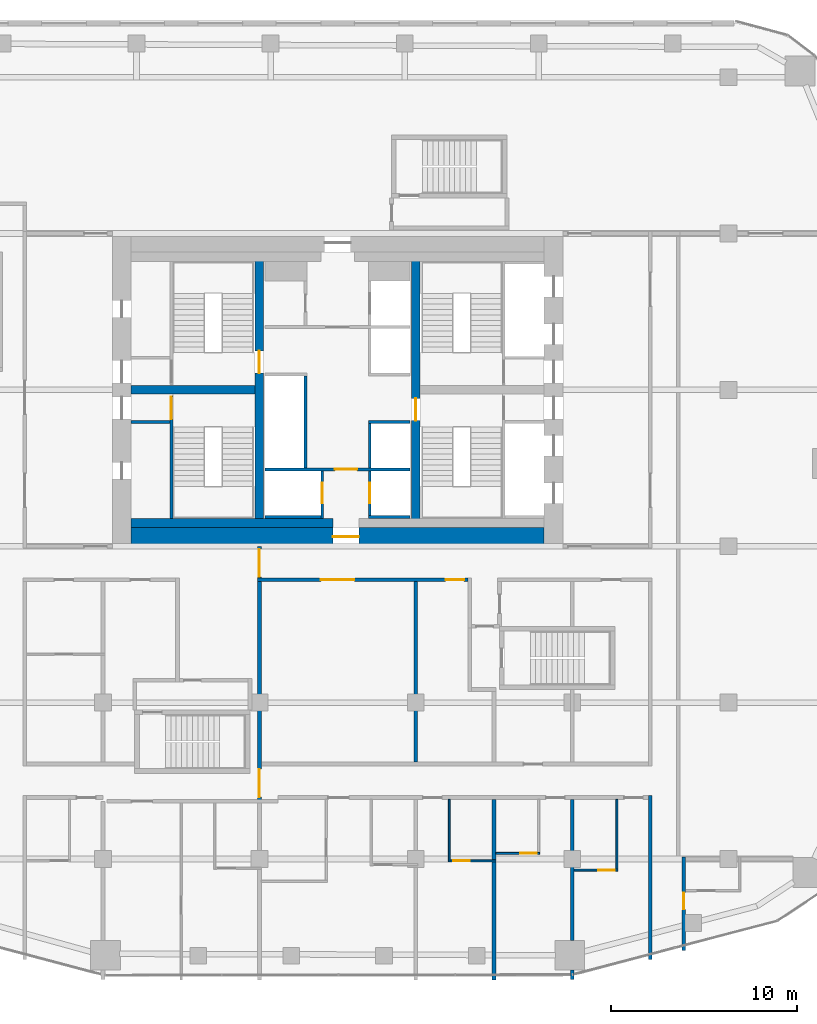
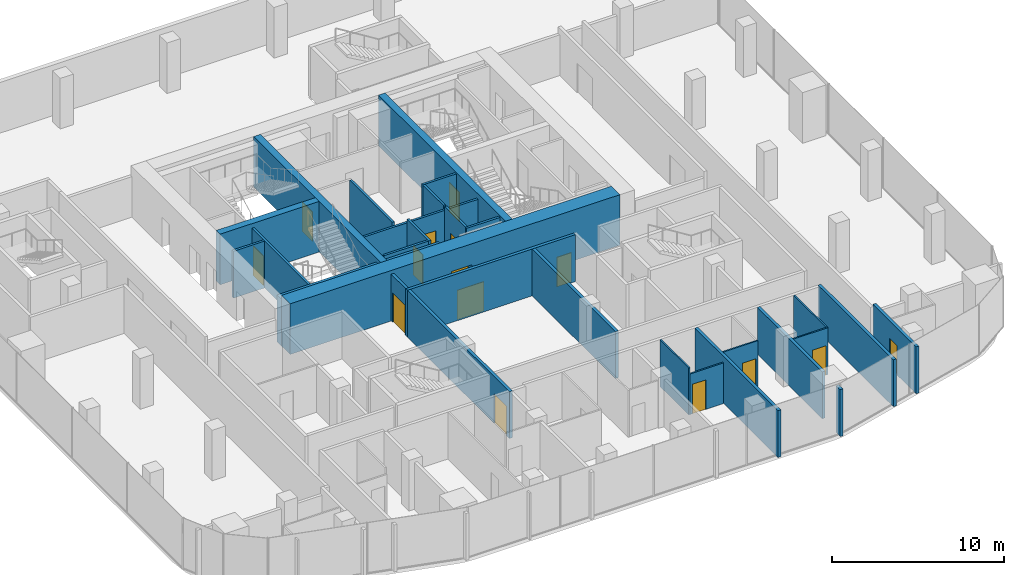
# One storey, part 15 of 21: 28 walls, 15 doors, 15 openings.
"""IFC4 building model written with IfcOpenShell, lengths in metres."""

from ifc_helpers import new_model, si_unit, direction, frame, frame_2d, origin, place, context, subcontext, project, spatial, rectangle, extrude, material, layer, layer_set, type_object, element, fill, save


model = new_model("IFC4")

# Units and contexts
model_context = context("Model", 3, precision=1e-05, world=origin(), true_north=direction((0.0, 1.0)))
body_context = subcontext(model_context, "Body", "Model", "MODEL_VIEW")
ifc_project = project(units=[si_unit("LENGTHUNIT", "METRE"), si_unit("AREAUNIT", "SQUARE_METRE"), si_unit("VOLUMEUNIT", "CUBIC_METRE"), si_unit("PLANEANGLEUNIT", "RADIAN"), si_unit("MASSUNIT", "GRAM", prefix="KILO")], contexts=[model_context])

# Site, building, storey
site_placement = place(None, origin())
site = spatial("IfcSite", under=ifc_project, at=site_placement, CompositionType="ELEMENT")
building_placement = place(site_placement, origin())
building = spatial("IfcBuilding", under=site, at=building_placement, Name="Marenta Gate Hotel Tower", CompositionType="ELEMENT")
storey_placement = place(building_placement, frame((0.0, 0.0, 133.699951171875)))
storey = spatial("IfcBuildingStorey", under=building, at=storey_placement, Name="L30", CompositionType="ELEMENT", Elevation=133.699951171875)

# Wall, openings, doors
ifc_material_1 = material(Name="Concrete blockwork", Category="masonry")
ifc_layer_1 = layer(ifc_material_1, 0.199951171875)
ifc_layer_set_1 = layer_set([ifc_layer_1], Name="Concrete blockwork")
wall_type_1 = type_object("IfcWallType", Name="Compartment wall 200 REI 180", PredefinedType="PARTITIONING", material=ifc_layer_set_1)
wall_1_placement = place(storey_placement, frame((-4.199951171875, -13.800048828125, 0.0), z_axis=(0.0, 0.0, 1.0), x_axis=(0.0, 1.0, 0.0)))
wall_1 = element("IfcWall", 1, at=wall_1_placement, inside=storey, type_object=wall_type_1, Name="L30-PTN-W049", PredefinedType="PARTITIONING", context=body_context, shape_type="SweptSolid", body=[
    extrude(rectangle(XDim=13.800048828125, YDim=0.199951171875, at=frame_2d((6.89990234375, 0.0))), origin(), (0.0, 0.0, 1.0), 3.340087890625),
])
opening_1_placement = place(wall_1_placement, frame((12.14990234375, 0.0, 0.0)))
opening_1 = element("IfcOpeningElement", 2, at=opening_1_placement, cuts=wall_1, Name="Opening G11-FD1", PredefinedType="OPENING", context=body_context, shape_type="SweptSolid", body=[
    extrude(rectangle(XDim=1.5, YDim=2.10009765625, at=frame_2d((0.75, 1.050048828125))), frame((0.0, 0.10009765625, 0.0), z_axis=(0.0, -1.0, 0.0), x_axis=(1.0, 0.0, 0.0)), (0.0, 0.0, 1.0), 0.199951171875),
])
opening_2_placement = place(wall_1_placement, frame((0.324951171875, 0.0, 0.0)))
opening_2 = element("IfcOpeningElement", 3, at=opening_2_placement, cuts=wall_1, Name="Opening G11-FD2", PredefinedType="OPENING", context=body_context, shape_type="SweptSolid", body=[
    extrude(rectangle(XDim=1.5, YDim=2.10009765625, at=frame_2d((0.75, 1.050048828125))), frame((0.0, 0.10009765625, 0.0), z_axis=(0.0, -1.0, 0.0), x_axis=(1.0, 0.0, 0.0)), (0.0, 0.0, 1.0), 0.199951171875),
])
ifc_material_2 = material(Name="Hollow steel door set", Category="steel")
door_type_1 = type_object("IfcDoorType", Name="Compartment fire door 1500x2100 EI 60", OperationType="DOUBLE_DOOR_DOUBLE_SWING", PredefinedType="DOOR", material=ifc_material_2)
door_1_placement = place(opening_1_placement, origin())
door_1 = element("IfcDoor", 4, at=door_1_placement, inside=storey, type_object=door_type_1, Name="L30-PD-FD01", OperationType="DOUBLE_DOOR_DOUBLE_SWING", OverallHeight=2.10009765625, OverallWidth=1.5, PredefinedType="DOOR", context=body_context, shape_type="SweptSolid", body=[
    extrude(rectangle(XDim=1.5, YDim=2.10009765625, at=frame_2d((0.75, 1.050048828125))), frame((0.0, 0.02490234375, 0.0), z_axis=(0.0, -1.0, 0.0), x_axis=(1.0, 0.0, 0.0)), (0.0, 0.0, 1.0), 0.050048828125),
])
fill(opening_1, door_1)
door_2_placement = place(opening_2_placement, origin())
door_2 = element("IfcDoor", 5, at=door_2_placement, inside=storey, type_object=door_type_1, Name="L30-PD-FD02", OperationType="DOUBLE_DOOR_DOUBLE_SWING", OverallHeight=2.10009765625, OverallWidth=1.5, PredefinedType="DOOR", context=body_context, shape_type="SweptSolid", body=[
    extrude(rectangle(XDim=1.5, YDim=2.10009765625, at=frame_2d((0.75, 1.050048828125))), frame((0.0, 0.02490234375, 0.0), z_axis=(0.0, -1.0, 0.0), x_axis=(1.0, 0.0, 0.0)), (0.0, 0.0, 1.0), 0.050048828125),
])
fill(opening_2, door_2)

# Wall
ifc_material_3 = material(Name="Concrete C40", Category="concrete")
ifc_layer_2 = layer(ifc_material_3, 0.5)
ifc_layer_set_2 = layer_set([ifc_layer_2], Name="Concrete C40")
wall_type_2 = type_object("IfcWallType", Name="Core lining wall 500 REI 180", PredefinedType="PARTITIONING", material=ifc_layer_set_2)
wall_2_placement = place(storey_placement, frame((-11.10009765625, 1.25, 0.0), z_axis=(0.0, 0.0, 1.0), x_axis=(1.0, 0.0, 0.0)))
element("IfcWall", 6, at=wall_2_placement, inside=storey, type_object=wall_type_2, Name="L30-CP-LN-S1", PredefinedType="PARTITIONING", context=body_context, shape_type="SweptSolid", body=[
    extrude(rectangle(XDim=10.85009765625, YDim=0.5, at=frame_2d((5.425048828125, 0.0))), origin(), (0.0, 0.0, 1.0), 3.340087890625),
])

# Wall, opening, door
ifc_material_4 = material(Name="Concrete blockwork", Category="masonry")
ifc_layer_3 = layer(ifc_material_4, 0.14990234375)
ifc_layer_set_3 = layer_set([ifc_layer_3], Name="Concrete blockwork")
wall_type_3 = type_object("IfcWallType", Name="Core lobby partition 150 REI 180", PredefinedType="PARTITIONING", material=ifc_layer_set_3)
wall_3_placement = place(storey_placement, frame((-3.89990234375, 4.125, 0.0), z_axis=(0.0, 0.0, 1.0), x_axis=(1.0, 0.0, 0.0)))
wall_3 = element("IfcWall", 7, at=wall_3_placement, inside=storey, type_object=wall_type_3, Name="L30-CP-CW-S", PredefinedType="PARTITIONING", context=body_context, shape_type="SweptSolid", body=[
    extrude(rectangle(XDim=7.7998046875, YDim=0.14990234375, at=frame_2d((3.89990234375, 0.0))), origin(), (0.0, 0.0, 1.0), 3.340087890625),
])
opening_3_placement = place(wall_3_placement, frame((3.75, 0.0, 0.0)))
opening_3 = element("IfcOpeningElement", 8, at=opening_3_placement, cuts=wall_3, Name="Opening FD-FFS", PredefinedType="OPENING", context=body_context, shape_type="SweptSolid", body=[
    extrude(rectangle(XDim=1.199951171875, YDim=2.10009765625, at=frame_2d((0.60009765625, 1.050048828125))), frame((0.0, 0.074951171875, 0.0), z_axis=(0.0, -1.0, 0.0), x_axis=(1.0, 0.0, 0.0)), (0.0, 0.0, 1.0), 0.14990234375),
])
ifc_material_5 = material(Name="Steel", Category="steel")
door_type_2 = type_object("IfcDoorType", Name="Core lobby door 1200x2100 FD60", OperationType="SINGLE_SWING_LEFT", PredefinedType="DOOR", material=ifc_material_5)
door_3_placement = place(opening_3_placement, origin())
door_3 = element("IfcDoor", 9, at=door_3_placement, inside=storey, type_object=door_type_2, Name="FD-FFS", OperationType="SINGLE_SWING_LEFT", OverallHeight=2.10009765625, OverallWidth=1.199951171875, PredefinedType="DOOR", context=body_context, shape_type="SweptSolid", body=[
    extrude(rectangle(XDim=1.199951171875, YDim=2.10009765625, at=frame_2d((0.60009765625, 1.050048828125))), frame((0.0, 0.02490234375, 0.0), z_axis=(0.0, -1.0, 0.0), x_axis=(1.0, 0.0, 0.0)), (0.0, 0.0, 1.0), 0.050048828125),
])
fill(opening_3, door_3)

# Wall
ifc_material_6 = material(Name="Concrete blockwork", Category="masonry")
ifc_layer_4 = layer(ifc_material_6, 0.14990234375)
ifc_layer_set_4 = layer_set([ifc_layer_4], Name="Concrete blockwork")
wall_type_4 = type_object("IfcWallType", Name="Core room partition 150 REI 180", PredefinedType="PARTITIONING", material=ifc_layer_set_4)
wall_4_placement = place(storey_placement, frame((-11.10009765625, 6.675048828125, 0.0), z_axis=(0.0, 0.0, 1.0), x_axis=(1.0, 0.0, 0.0)))
element("IfcWall", 10, at=wall_4_placement, inside=storey, type_object=wall_type_4, Name="L30-CP-SW-WS-2", PredefinedType="PARTITIONING", context=body_context, shape_type="SweptSolid", body=[
    extrude(rectangle(XDim=2.10009765625, YDim=0.14990234375, at=frame_2d((1.050048828125, 0.0))), origin(), (0.0, 0.0, 1.0), 3.340087890625),
])

# Wall, opening, door
ifc_material_7 = material(Name="Concrete C40", Category="concrete")
ifc_layer_5 = layer(ifc_material_7, 0.14990234375)
ifc_layer_set_5 = layer_set([ifc_layer_5], Name="Concrete C40")
wall_type_5 = type_object("IfcWallType", Name="Core shaft wall 150 REI 180", PredefinedType="SHEAR", material=ifc_layer_set_5)
wall_5_placement = place(storey_placement, frame((-0.824951171875, 1.5, 0.0), z_axis=(0.0, 0.0, 1.0), x_axis=(0.0, 1.0, 0.0)))
wall_5 = element("IfcWall", 11, at=wall_5_placement, inside=storey, type_object=wall_type_5, Name="L30-SHF-CW-W-ff", PredefinedType="SHEAR", context=body_context, shape_type="SweptSolid", body=[
    extrude(rectangle(XDim=2.550048828125, YDim=0.14990234375, at=frame_2d((1.27490234375, 0.0))), origin(), (0.0, 0.0, 1.0), 3.60009765625),
])
opening_4_placement = place(wall_5_placement, frame((0.800048828125, 0.0, 0.0)))
opening_4 = element("IfcOpeningElement", 12, at=opening_4_placement, cuts=wall_5, Name="Opening LD-FF1", PredefinedType="OPENING", context=body_context, shape_type="SweptSolid", body=[
    extrude(rectangle(XDim=1.10009765625, YDim=2.10009765625, at=frame_2d((0.550048828125, 1.050048828125))), frame((0.0, 0.074951171875, 0.0), z_axis=(0.0, -1.0, 0.0), x_axis=(1.0, 0.0, 0.0)), (0.0, 0.0, 1.0), 0.14990234375),
])
ifc_material_8 = material(Name="Steel", Category="steel")
door_type_3 = type_object("IfcDoorType", Name="Core lift landing door 1100x2100 E 60", OperationType="SLIDING_TO_LEFT", PredefinedType="DOOR", material=ifc_material_8)
door_4_placement = place(opening_4_placement, origin())
door_4 = element("IfcDoor", 13, at=door_4_placement, inside=storey, type_object=door_type_3, Name="LD-FF1", OperationType="SLIDING_TO_LEFT", OverallHeight=2.10009765625, OverallWidth=1.10009765625, PredefinedType="DOOR", context=body_context, shape_type="SweptSolid", body=[
    extrude(rectangle(XDim=1.10009765625, YDim=2.10009765625, at=frame_2d((0.550048828125, 1.050048828125))), frame((0.0, 0.02490234375, 0.0), z_axis=(0.0, -1.0, 0.0), x_axis=(1.0, 0.0, 0.0)), (0.0, 0.0, 1.0), 0.050048828125),
])
fill(opening_4, door_4)

# Walls
wall_6_placement = place(storey_placement, frame((-3.89990234375, 1.574951171875, 0.0), z_axis=(0.0, 0.0, 1.0), x_axis=(1.0, 0.0, 0.0)))
element("IfcWall", 14, at=wall_6_placement, inside=storey, type_object=wall_type_5, Name="L30-SHF-CW-W-ffs", PredefinedType="SHEAR", context=body_context, shape_type="SweptSolid", body=[
    extrude(rectangle(XDim=3.0, YDim=0.14990234375, at=frame_2d((1.5, 0.0))), origin(), (0.0, 0.0, 1.0), 3.60009765625),
])
wall_7_placement = place(storey_placement, frame((-1.72509765625, 4.199951171875, 0.0), z_axis=(0.0, 0.0, 1.0), x_axis=(0.0, 1.0, 0.0)))
element("IfcWall", 15, at=wall_7_placement, inside=storey, type_object=wall_type_5, Name="L30-SHF-CW-W-front", PredefinedType="SHEAR", context=body_context, shape_type="SweptSolid", body=[
    extrude(rectangle(XDim=4.949951171875, YDim=0.14990234375, at=frame_2d((2.47509765625, 0.0))), origin(), (0.0, 0.0, 1.0), 3.60009765625),
])

# Wall, opening, door
wall_8_placement = place(storey_placement, frame((1.72509765625, 1.64990234375, 0.0), z_axis=(0.0, 0.0, 1.0), x_axis=(0.0, 1.0, 0.0)))
wall_8 = element("IfcWall", 16, at=wall_8_placement, inside=storey, type_object=wall_type_5, Name="L30-SHF-CE-S-ls", PredefinedType="SHEAR", context=body_context, shape_type="SweptSolid", body=[
    extrude(rectangle(XDim=2.400146484375, YDim=0.14990234375, at=frame_2d((1.2001953125, 0.0))), origin(), (0.0, 0.0, 1.0), 3.60009765625),
])
opening_5_placement = place(wall_8_placement, frame((0.64990234375, 0.0, 0.0)))
opening_5 = element("IfcOpeningElement", 17, at=opening_5_placement, cuts=wall_8, Name="Opening LD-SV1", PredefinedType="OPENING", context=body_context, shape_type="SweptSolid", body=[
    extrude(rectangle(XDim=1.10009765625, YDim=2.10009765625, at=frame_2d((0.550048828125, 1.050048828125))), frame((0.0, 0.074951171875, 0.0), z_axis=(0.0, -1.0, 0.0), x_axis=(1.0, 0.0, 0.0)), (0.0, 0.0, 1.0), 0.14990234375),
])
door_5_placement = place(opening_5_placement, origin())
door_5 = element("IfcDoor", 18, at=door_5_placement, inside=storey, type_object=door_type_3, Name="LD-SV1", OperationType="SLIDING_TO_LEFT", OverallHeight=2.10009765625, OverallWidth=1.10009765625, PredefinedType="DOOR", context=body_context, shape_type="SweptSolid", body=[
    extrude(rectangle(XDim=1.10009765625, YDim=2.10009765625, at=frame_2d((0.550048828125, 1.050048828125))), frame((0.0, 0.02490234375, 0.0), z_axis=(0.0, -1.0, 0.0), x_axis=(1.0, 0.0, 0.0)), (0.0, 0.0, 1.0), 0.050048828125),
])
fill(opening_5, door_5)

# Walls
for number, where, z_axis, x_axis, name in (
    (19, (1.64990234375, 1.574951171875, 0.0), (0.0, 0.0, 1.0), (1.0, 0.0, 0.0), "L30-SHF-CE-S-bot"),
    (20, (1.64990234375, 6.675048828125, 0.0), (0.0, 0.0, 1.0), (1.0, 0.0, 0.0), "L30-SHF-CE-sep1"),
):
    element("IfcWall", number, at=place(storey_placement, frame(where, z_axis=z_axis, x_axis=x_axis)), inside=storey, type_object=wall_type_5, Name=name, PredefinedType="SHEAR", context=body_context, shape_type="SweptSolid", body=[
        extrude(rectangle(XDim=2.25, YDim=0.14990234375, at=frame_2d((1.125, 0.0))), origin(), (0.0, 0.0, 1.0), 3.60009765625),
    ])
wall_9_placement = place(storey_placement, frame((1.72509765625, 4.199951171875, 0.0), z_axis=(0.0, 0.0, 1.0), x_axis=(0.0, 1.0, 0.0)))
element("IfcWall", 21, at=wall_9_placement, inside=storey, type_object=wall_type_5, Name="L30-SHF-CE-front-1", PredefinedType="SHEAR", context=body_context, shape_type="SweptSolid", body=[
    extrude(rectangle(XDim=2.400146484375, YDim=0.14990234375, at=frame_2d((1.2001953125, 0.0))), origin(), (0.0, 0.0, 1.0), 3.60009765625),
])

# Wall, opening, door
ifc_material_9 = material(Name="Concrete C40", Category="concrete")
ifc_layer_6 = layer(ifc_material_9, 0.14990234375)
ifc_layer_set_6 = layer_set([ifc_layer_6], Name="Concrete C40")
wall_type_6 = type_object("IfcWallType", Name="Core stair enclosure wall 150 REI 180", PredefinedType="SHEAR", material=ifc_layer_set_6)
wall_10_placement = place(storey_placement, frame((-8.925048828125, 1.5, 0.0), z_axis=(0.0, 0.0, 1.0), x_axis=(0.0, 1.0, 0.0)))
wall_10 = element("IfcWall", 22, at=wall_10_placement, inside=storey, type_object=wall_type_6, Name="L30-SHF-SW-WS-3", PredefinedType="SHEAR", context=body_context, shape_type="SweptSolid", body=[
    extrude(rectangle(XDim=6.60009765625, YDim=0.14990234375, at=frame_2d((3.300048828125, 0.0))), origin(), (0.0, 0.0, 1.0), 3.340087890625),
])
opening_6_placement = place(wall_10_placement, frame((5.324951171875, 0.0, 0.0)))
opening_6 = element("IfcOpeningElement", 23, at=opening_6_placement, cuts=wall_10, Name="Opening SD-WS", PredefinedType="OPENING", context=body_context, shape_type="SweptSolid", body=[
    extrude(rectangle(XDim=1.199951171875, YDim=2.10009765625, at=frame_2d((0.60009765625, 1.050048828125))), frame((0.0, 0.074951171875, 0.0), z_axis=(0.0, -1.0, 0.0), x_axis=(1.0, 0.0, 0.0)), (0.0, 0.0, 1.0), 0.14990234375),
])
ifc_material_10 = material(Name="Steel", Category="steel")
door_type_4 = type_object("IfcDoorType", Name="Core stair door 1200x2100 FD60", OperationType="SINGLE_SWING_LEFT", PredefinedType="DOOR", material=ifc_material_10)
door_6_placement = place(opening_6_placement, origin())
door_6 = element("IfcDoor", 24, at=door_6_placement, inside=storey, type_object=door_type_4, Name="SD-WS", OperationType="SINGLE_SWING_LEFT", OverallHeight=2.10009765625, OverallWidth=1.199951171875, PredefinedType="DOOR", context=body_context, shape_type="SweptSolid", body=[
    extrude(rectangle(XDim=1.199951171875, YDim=2.10009765625, at=frame_2d((0.60009765625, 1.050048828125))), frame((0.0, 0.02490234375, 0.0), z_axis=(0.0, -1.0, 0.0), x_axis=(1.0, 0.0, 0.0)), (0.0, 0.0, 1.0), 0.050048828125),
])
fill(opening_6, door_6)

ifc_material_11 = material(Name="Concrete C70", Category="concrete")
ifc_layer_7 = layer(ifc_material_11, 1.0)
ifc_layer_set_7 = layer_set([ifc_layer_7], Name="Concrete C70")
wall_type_7 = type_object("IfcWallType", Name="Core wall 1000 C70", PredefinedType="SHEAR", material=ifc_layer_set_7)
wall_11_placement = place(storey_placement, frame((-11.10009765625, 0.5, 0.0), z_axis=(0.0, 0.0, 1.0), x_axis=(1.0, 0.0, 0.0)))
wall_11 = element("IfcWall", 25, at=wall_11_placement, inside=storey, type_object=wall_type_7, Name="L30-CORE-S", PredefinedType="SHEAR", context=body_context, shape_type="SweptSolid", body=[
    extrude(rectangle(XDim=22.2001953125, YDim=1.0, at=frame_2d((11.10009765625, 0.0))), origin(), (0.0, 0.0, 1.0), 3.60009765625),
])
opening_7_placement = place(wall_11_placement, frame((10.85009765625, 0.0, 0.0)))
opening_7 = element("IfcOpeningElement", 26, at=opening_7_placement, cuts=wall_11, Name="Opening RFD-S", PredefinedType="OPENING", context=body_context, shape_type="SweptSolid", body=[
    extrude(rectangle(XDim=1.39990234375, YDim=2.10009765625, at=frame_2d((0.699951171875, 1.050048828125))), frame((0.0, 0.5, 0.0), z_axis=(0.0, -1.0, 0.0), x_axis=(1.0, 0.0, 0.0)), (0.0, 0.0, 1.0), 1.0),
])
ifc_material_12 = material(Name="Steel", Category="steel")
door_type_5 = type_object("IfcDoorType", Name="Core lobby door 1400x2100 FD60", OperationType="SINGLE_SWING_LEFT", PredefinedType="DOOR", material=ifc_material_12)
door_7_placement = place(opening_7_placement, origin())
door_7 = element("IfcDoor", 27, at=door_7_placement, inside=storey, type_object=door_type_5, Name="RFD-S", OperationType="SINGLE_SWING_LEFT", OverallHeight=2.10009765625, OverallWidth=1.39990234375, PredefinedType="DOOR", context=body_context, shape_type="SweptSolid", body=[
    extrude(rectangle(XDim=1.39990234375, YDim=2.10009765625, at=frame_2d((0.699951171875, 1.050048828125))), frame((0.0, 0.02490234375, 0.0), z_axis=(0.0, -1.0, 0.0), x_axis=(1.0, 0.0, 0.0)), (0.0, 0.0, 1.0), 0.050048828125),
])
fill(opening_7, door_7)

ifc_material_13 = material(Name="Concrete C70", Category="concrete")
ifc_layer_8 = layer(ifc_material_13, 0.449951171875)
ifc_layer_set_8 = layer_set([ifc_layer_8], Name="Concrete C70")
wall_type_8 = type_object("IfcWallType", Name="Core web 450 C70", PredefinedType="SHEAR", material=ifc_layer_set_8)
wall_12_placement = place(storey_placement, frame((-4.199951171875, 1.0, 0.0), z_axis=(0.0, 0.0, 1.0), x_axis=(0.0, 1.0, 0.0)))
wall_12 = element("IfcWall", 28, at=wall_12_placement, inside=storey, type_object=wall_type_8, Name="L30-CORE-W1", PredefinedType="SHEAR", context=body_context, shape_type="SweptSolid", body=[
    extrude(rectangle(XDim=14.800048828125, YDim=0.449951171875, at=frame_2d((7.39990234375, 0.0))), origin(), (0.0, 0.0, 1.0), 3.60009765625),
])
opening_8_placement = place(wall_12_placement, frame((8.300048828125, 0.0, 0.0)))
opening_8 = element("IfcOpeningElement", 29, at=opening_8_placement, cuts=wall_12, Name="Opening WD-W", PredefinedType="OPENING", context=body_context, shape_type="SweptSolid", body=[
    extrude(rectangle(XDim=1.199951171875, YDim=2.10009765625, at=frame_2d((0.60009765625, 1.050048828125))), frame((0.0, 0.22509765625, 0.0), z_axis=(0.0, -1.0, 0.0), x_axis=(1.0, 0.0, 0.0)), (0.0, 0.0, 1.0), 0.449951171875),
])
door_8_placement = place(opening_8_placement, origin())
door_8 = element("IfcDoor", 30, at=door_8_placement, inside=storey, type_object=door_type_4, Name="WD-W", OperationType="SINGLE_SWING_LEFT", OverallHeight=2.10009765625, OverallWidth=1.199951171875, PredefinedType="DOOR", context=body_context, shape_type="SweptSolid", body=[
    extrude(rectangle(XDim=1.199951171875, YDim=2.10009765625, at=frame_2d((0.60009765625, 1.050048828125))), frame((0.0, 0.02490234375, 0.0), z_axis=(0.0, -1.0, 0.0), x_axis=(1.0, 0.0, 0.0)), (0.0, 0.0, 1.0), 0.050048828125),
])
fill(opening_8, door_8)

wall_13_placement = place(storey_placement, frame((4.199951171875, 1.0, 0.0), z_axis=(0.0, 0.0, 1.0), x_axis=(0.0, 1.0, 0.0)))
wall_13 = element("IfcWall", 31, at=wall_13_placement, inside=storey, type_object=wall_type_8, Name="L30-CORE-W2", PredefinedType="SHEAR", context=body_context, shape_type="SweptSolid", body=[
    extrude(rectangle(XDim=14.800048828125, YDim=0.449951171875, at=frame_2d((7.39990234375, 0.0))), origin(), (0.0, 0.0, 1.0), 3.60009765625),
])
opening_9_placement = place(wall_13_placement, frame((5.75, 0.0, 0.0)))
opening_9 = element("IfcOpeningElement", 32, at=opening_9_placement, cuts=wall_13, Name="Opening WD-E", PredefinedType="OPENING", context=body_context, shape_type="SweptSolid", body=[
    extrude(rectangle(XDim=1.199951171875, YDim=2.10009765625, at=frame_2d((0.60009765625, 1.050048828125))), frame((0.0, 0.22509765625, 0.0), z_axis=(0.0, -1.0, 0.0), x_axis=(1.0, 0.0, 0.0)), (0.0, 0.0, 1.0), 0.449951171875),
])
door_9_placement = place(opening_9_placement, origin())
door_9 = element("IfcDoor", 33, at=door_9_placement, inside=storey, type_object=door_type_4, Name="WD-E", OperationType="SINGLE_SWING_LEFT", OverallHeight=2.10009765625, OverallWidth=1.199951171875, PredefinedType="DOOR", context=body_context, shape_type="SweptSolid", body=[
    extrude(rectangle(XDim=1.199951171875, YDim=2.10009765625, at=frame_2d((0.60009765625, 1.050048828125))), frame((0.0, 0.02490234375, 0.0), z_axis=(0.0, -1.0, 0.0), x_axis=(1.0, 0.0, 0.0)), (0.0, 0.0, 1.0), 0.050048828125),
])
fill(opening_9, door_9)

# Wall
wall_14_placement = place(storey_placement, frame((-11.10009765625, 8.39990234375, 0.0), z_axis=(0.0, 0.0, 1.0), x_axis=(1.0, 0.0, 0.0)))
element("IfcWall", 34, at=wall_14_placement, inside=storey, type_object=wall_type_8, Name="L30-CORE-W3", PredefinedType="SHEAR", context=body_context, shape_type="SweptSolid", body=[
    extrude(rectangle(XDim=6.675048828125, YDim=0.449951171875, at=frame_2d((3.33740234375, 0.0))), origin(), (0.0, 0.0, 1.0), 3.60009765625),
])

# Wall, opening, door
ifc_material_14 = material(Name="Gypsum board on steel stud", Category="steel")
ifc_layer_9 = layer(ifc_material_14, 0.199951171875)
ifc_layer_set_9 = layer_set([ifc_layer_9], Name="Gypsum board on steel stud")
wall_type_9 = type_object("IfcWallType", Name="Room corridor wall 200 EI 60", PredefinedType="PARTITIONING", material=ifc_layer_set_9)
wall_15_placement = place(storey_placement, frame((18.60009765625, -21.7080078125, 0.0), z_axis=(0.0, 0.0, 1.0), x_axis=(0.0, 1.0, 0.0)))
wall_15 = element("IfcWall", 35, at=wall_15_placement, inside=storey, type_object=wall_type_9, Name="L30-PTN-W003", PredefinedType="PARTITIONING", context=body_context, shape_type="SweptSolid", body=[
    extrude(rectangle(XDim=5.008056640625, YDim=0.199951171875, at=frame_2d((2.50390625, 0.0))), origin(), (0.0, 0.0, 1.0), 3.340087890625),
])
opening_10_placement = place(wall_15_placement, frame((2.2041015625, 0.0, 0.0)))
opening_10 = element("IfcOpeningElement", 36, at=opening_10_placement, cuts=wall_15, Name="Opening G11-07", PredefinedType="OPENING", context=body_context, shape_type="SweptSolid", body=[
    extrude(rectangle(XDim=0.89990234375, YDim=2.10009765625, at=frame_2d((0.449951171875, 1.050048828125))), frame((0.0, 0.10009765625, 0.0), z_axis=(0.0, -1.0, 0.0), x_axis=(1.0, 0.0, 0.0)), (0.0, 0.0, 1.0), 0.199951171875),
])
ifc_material_15 = material(Name="Timber door leaf", Category="wood")
door_type_6 = type_object("IfcDoorType", Name="Guest room door 900x2100 EI 30", OperationType="NOTDEFINED", PredefinedType="DOOR", material=ifc_material_15)
door_10_placement = place(opening_10_placement, origin())
door_10 = element("IfcDoor", 37, at=door_10_placement, inside=storey, type_object=door_type_6, Name="L30-PD-D007", OperationType="SINGLE_SWING_LEFT", OverallHeight=2.10009765625, OverallWidth=0.89990234375, PredefinedType="DOOR", context=body_context, shape_type="SweptSolid", body=[
    extrude(rectangle(XDim=0.89990234375, YDim=2.10009765625, at=frame_2d((0.449951171875, 1.050048828125))), frame((0.0, 0.02490234375, 0.0), z_axis=(0.0, -1.0, 0.0), x_axis=(1.0, 0.0, 0.0)), (0.0, 0.0, 1.0), 0.050048828125),
])
fill(opening_10, door_10)

# Wall
wall_16_placement = place(storey_placement, frame((16.800048828125, -22.18603515625, 0.0), z_axis=(0.0, 0.0, 1.0), x_axis=(0.0, 1.0, 0.0)))
element("IfcWall", 38, at=wall_16_placement, inside=storey, type_object=wall_type_9, Name="L30-PTN-W012", PredefinedType="PARTITIONING", context=body_context, shape_type="SweptSolid", body=[
    extrude(rectangle(XDim=8.7861328125, YDim=0.199951171875, at=frame_2d((4.39306640625, 0.0))), origin(), (0.0, 0.0, 1.0), 3.340087890625),
])

# Wall, openings, doors
wall_17_placement = place(storey_placement, frame((-4.300048828125, -1.800048828125, 0.0), z_axis=(0.0, 0.0, 1.0), x_axis=(1.0, 0.0, 0.0)))
wall_17 = element("IfcWall", 39, at=wall_17_placement, inside=storey, type_object=wall_type_9, Name="L30-PTN-W045", PredefinedType="PARTITIONING", context=body_context, shape_type="SweptSolid", body=[
    extrude(rectangle(XDim=11.300048828125, YDim=0.199951171875, at=frame_2d((5.64990234375, 0.0))), origin(), (0.0, 0.0, 1.0), 3.340087890625),
])
opening_11_placement = place(wall_17_placement, frame((3.39990234375, 0.0, 0.0)))
opening_11 = element("IfcOpeningElement", 40, at=opening_11_placement, cuts=wall_17, Name="Opening G11-04", PredefinedType="OPENING", context=body_context, shape_type="SweptSolid", body=[
    extrude(rectangle(XDim=1.800048828125, YDim=2.10009765625, at=frame_2d((0.89990234375, 1.050048828125))), frame((0.0, 0.10009765625, 0.0), z_axis=(0.0, -1.0, 0.0), x_axis=(1.0, 0.0, 0.0)), (0.0, 0.0, 1.0), 0.199951171875),
])
opening_12_placement = place(wall_17_placement, frame((10.10009765625, 0.0, 0.0)))
opening_12 = element("IfcOpeningElement", 41, at=opening_12_placement, cuts=wall_17, Name="Opening G11-05", PredefinedType="OPENING", context=body_context, shape_type="SweptSolid", body=[
    extrude(rectangle(XDim=1.0, YDim=2.10009765625, at=frame_2d((0.5, 1.050048828125))), frame((0.0, 0.10009765625, 0.0), z_axis=(0.0, -1.0, 0.0), x_axis=(1.0, 0.0, 0.0)), (0.0, 0.0, 1.0), 0.199951171875),
])
ifc_material_16 = material(Name="Timber door leaf", Category="wood")
door_type_7 = type_object("IfcDoorType", Name="Room amenity door 1000x2100 EI 30", OperationType="NOTDEFINED", PredefinedType="DOOR", material=ifc_material_16)
door_11_placement = place(opening_12_placement, origin())
door_11 = element("IfcDoor", 42, at=door_11_placement, inside=storey, type_object=door_type_7, Name="L30-PD-D005", OperationType="SINGLE_SWING_LEFT", OverallHeight=2.10009765625, OverallWidth=1.0, PredefinedType="DOOR", context=body_context, shape_type="SweptSolid", body=[
    extrude(rectangle(XDim=1.0, YDim=2.10009765625, at=frame_2d((0.5, 1.050048828125))), frame((0.0, 0.02490234375, 0.0), z_axis=(0.0, -1.0, 0.0), x_axis=(1.0, 0.0, 0.0)), (0.0, 0.0, 1.0), 0.050048828125),
])
fill(opening_12, door_11)
ifc_material_17 = material(Name="Timber door leaf", Category="wood")
door_type_8 = type_object("IfcDoorType", Name="Room amenity door 1800x2100 EI 30", OperationType="DOUBLE_DOOR_SINGLE_SWING", PredefinedType="DOOR", material=ifc_material_17)
door_12_placement = place(opening_11_placement, origin())
door_12 = element("IfcDoor", 43, at=door_12_placement, inside=storey, type_object=door_type_8, Name="L30-PD-D004", OperationType="DOUBLE_DOOR_SINGLE_SWING", OverallHeight=2.10009765625, OverallWidth=1.800048828125, PredefinedType="DOOR", context=body_context, shape_type="SweptSolid", body=[
    extrude(rectangle(XDim=1.800048828125, YDim=2.10009765625, at=frame_2d((0.89990234375, 1.050048828125))), frame((0.0, 0.02490234375, 0.0), z_axis=(0.0, -1.0, 0.0), x_axis=(1.0, 0.0, 0.0)), (0.0, 0.0, 1.0), 0.050048828125),
])
fill(opening_11, door_12)

# Wall, opening, door
ifc_material_18 = material(Name="Gypsum board on steel stud", Category="steel")
ifc_layer_10 = layer(ifc_material_18, 0.10009765625)
ifc_layer_set_10 = layer_set([ifc_layer_10], Name="Gypsum board on steel stud")
wall_type_10 = type_object("IfcWallType", Name="Room partition 100", PredefinedType="PARTITIONING", material=ifc_layer_set_10)
wall_18_placement = place(storey_placement, frame((12.699951171875, -17.39990234375, 0.0), z_axis=(0.0, 0.0, 1.0), x_axis=(1.0, 0.0, 0.0)))
wall_18 = element("IfcWall", 44, at=wall_18_placement, inside=storey, type_object=wall_type_10, Name="L30-PTN-W007", PredefinedType="PARTITIONING", context=body_context, shape_type="SweptSolid", body=[
    extrude(rectangle(XDim=2.35009765625, YDim=0.10009765625, at=frame_2d((1.175048828125, 0.0))), origin(), (0.0, 0.0, 1.0), 3.340087890625),
])
opening_13_placement = place(wall_18_placement, frame((1.300048828125, 0.0, 0.0)))
opening_13 = element("IfcOpeningElement", 45, at=opening_13_placement, cuts=wall_18, Name="Opening G11-22", PredefinedType="OPENING", context=body_context, shape_type="SweptSolid", body=[
    extrude(rectangle(XDim=0.89990234375, YDim=2.10009765625, at=frame_2d((0.449951171875, 1.050048828125))), frame((0.0, 0.050048828125, 0.0), z_axis=(0.0, -1.0, 0.0), x_axis=(1.0, 0.0, 0.0)), (0.0, 0.0, 1.0), 0.10009765625),
])
ifc_material_19 = material(Name="Timber door leaf", Category="wood")
door_type_9 = type_object("IfcDoorType", Name="Guest bathroom door 900x2100", OperationType="NOTDEFINED", PredefinedType="DOOR", material=ifc_material_19)
door_13_placement = place(opening_13_placement, origin())
door_13 = element("IfcDoor", 46, at=door_13_placement, inside=storey, type_object=door_type_9, Name="L30-PD-D022", OperationType="SINGLE_SWING_RIGHT", OverallHeight=2.10009765625, OverallWidth=0.89990234375, PredefinedType="DOOR", context=body_context, shape_type="SweptSolid", body=[
    extrude(rectangle(XDim=0.89990234375, YDim=2.10009765625, at=frame_2d((0.449951171875, 1.050048828125))), frame((0.0, 0.02490234375, 0.0), z_axis=(0.0, -1.0, 0.0), x_axis=(1.0, 0.0, 0.0)), (0.0, 0.0, 1.0), 0.050048828125),
])
fill(opening_13, door_13)

wall_19_placement = place(storey_placement, frame((6.050048828125, -16.89990234375, 0.0), z_axis=(0.0, 0.0, 1.0), x_axis=(1.0, 0.0, 0.0)))
wall_19 = element("IfcWall", 47, at=wall_19_placement, inside=storey, type_object=wall_type_10, Name="L30-PTN-W011", PredefinedType="PARTITIONING", context=body_context, shape_type="SweptSolid", body=[
    extrude(rectangle(XDim=2.449951171875, YDim=0.10009765625, at=frame_2d((1.22509765625, 0.0))), origin(), (0.0, 0.0, 1.0), 2.89013671875),
])
opening_14_placement = place(wall_19_placement, frame((0.14990234375, 0.0, 0.0)))
opening_14 = element("IfcOpeningElement", 48, at=opening_14_placement, cuts=wall_19, Name="Opening G11-18", PredefinedType="OPENING", context=body_context, shape_type="SweptSolid", body=[
    extrude(rectangle(XDim=0.89990234375, YDim=2.10009765625, at=frame_2d((0.449951171875, 1.050048828125))), frame((0.0, 0.050048828125, 0.0), z_axis=(0.0, -1.0, 0.0), x_axis=(1.0, 0.0, 0.0)), (0.0, 0.0, 1.0), 0.10009765625),
])
door_14_placement = place(opening_14_placement, origin())
door_14 = element("IfcDoor", 49, at=door_14_placement, inside=storey, type_object=door_type_9, Name="L30-PD-D018", OperationType="SINGLE_SWING_LEFT", OverallHeight=2.10009765625, OverallWidth=0.89990234375, PredefinedType="DOOR", context=body_context, shape_type="SweptSolid", body=[
    extrude(rectangle(XDim=0.89990234375, YDim=2.10009765625, at=frame_2d((0.449951171875, 1.050048828125))), frame((0.0, 0.02490234375, 0.0), z_axis=(0.0, -1.0, 0.0), x_axis=(1.0, 0.0, 0.0)), (0.0, 0.0, 1.0), 0.050048828125),
])
fill(opening_14, door_14)

wall_20_placement = place(storey_placement, frame((8.5, -16.5, 0.0), z_axis=(0.0, 0.0, 1.0), x_axis=(1.0, 0.0, 0.0)))
wall_20 = element("IfcWall", 50, at=wall_20_placement, inside=storey, type_object=wall_type_10, Name="L30-PTN-W017", PredefinedType="PARTITIONING", context=body_context, shape_type="SweptSolid", body=[
    extrude(rectangle(XDim=2.35009765625, YDim=0.10009765625, at=frame_2d((1.175048828125, 0.0))), origin(), (0.0, 0.0, 1.0), 3.340087890625),
])
opening_15_placement = place(wall_20_placement, frame((1.300048828125, 0.0, 0.0)))
opening_15 = element("IfcOpeningElement", 51, at=opening_15_placement, cuts=wall_20, Name="Opening G11-20", PredefinedType="OPENING", context=body_context, shape_type="SweptSolid", body=[
    extrude(rectangle(XDim=0.89990234375, YDim=2.10009765625, at=frame_2d((0.449951171875, 1.050048828125))), frame((0.0, 0.050048828125, 0.0), z_axis=(0.0, -1.0, 0.0), x_axis=(1.0, 0.0, 0.0)), (0.0, 0.0, 1.0), 0.10009765625),
])
door_15_placement = place(opening_15_placement, origin())
door_15 = element("IfcDoor", 52, at=door_15_placement, inside=storey, type_object=door_type_9, Name="L30-PD-D020", OperationType="SINGLE_SWING_RIGHT", OverallHeight=2.10009765625, OverallWidth=0.89990234375, PredefinedType="DOOR", context=body_context, shape_type="SweptSolid", body=[
    extrude(rectangle(XDim=0.89990234375, YDim=2.10009765625, at=frame_2d((0.449951171875, 1.050048828125))), frame((0.0, 0.02490234375, 0.0), z_axis=(0.0, -1.0, 0.0), x_axis=(1.0, 0.0, 0.0)), (0.0, 0.0, 1.0), 0.050048828125),
])
fill(opening_15, door_15)

# Walls
wall_21_placement = place(storey_placement, frame((15.0, -17.35009765625, 0.0), z_axis=(0.0, 0.0, 1.0), x_axis=(0.0, 1.0, 0.0)))
element("IfcWall", 53, at=wall_21_placement, inside=storey, type_object=wall_type_10, Name="L30-PTN-W018", PredefinedType="PARTITIONING", context=body_context, shape_type="SweptSolid", body=[
    extrude(rectangle(XDim=3.75, YDim=0.10009765625, at=frame_2d((1.875, 0.0))), origin(), (0.0, 0.0, 1.0), 3.340087890625),
])
wall_22_placement = place(storey_placement, frame((6.0, -16.949951171875, 0.0), z_axis=(0.0, 0.0, 1.0), x_axis=(0.0, 1.0, 0.0)))
element("IfcWall", 54, at=wall_22_placement, inside=storey, type_object=wall_type_10, Name="L30-PTN-W037", PredefinedType="PARTITIONING", context=body_context, shape_type="SweptSolid", body=[
    extrude(rectangle(XDim=3.349853515625, YDim=0.10009765625, at=frame_2d((1.6748046875, 0.0))), origin(), (0.0, 0.0, 1.0), 3.340087890625),
])
ifc_material_20 = material(Name="Gypsum board on steel stud", Category="steel")
ifc_layer_11 = layer(ifc_material_20, 0.199951171875)
ifc_layer_set_11 = layer_set([ifc_layer_11], Name="Gypsum board on steel stud")
wall_type_11 = type_object("IfcWallType", Name="Room party wall 200 EI 60", PredefinedType="PARTITIONING", material=ifc_layer_set_11)
wall_23_placement = place(storey_placement, frame((12.60009765625, -23.26611328125, 0.0), z_axis=(0.0, 0.0, 1.0), x_axis=(0.0, 1.0, 0.0)))
element("IfcWall", 55, at=wall_23_placement, inside=storey, type_object=wall_type_11, Name="L30-PTN-W022", PredefinedType="PARTITIONING", context=body_context, shape_type="SweptSolid", body=[
    extrude(rectangle(XDim=0.4912109375, YDim=0.199951171875, at=frame_2d((0.24560546875, 0.0))), origin(), (0.0, 0.0, 1.0), 3.340087890625),
])
wall_24_placement = place(storey_placement, frame((12.60009765625, -21.175048828125, 0.0), z_axis=(0.0, 0.0, 1.0), x_axis=(0.0, 1.0, 0.0)))
element("IfcWall", 56, at=wall_24_placement, inside=storey, type_object=wall_type_11, Name="L30-PTN-W076", PredefinedType="PARTITIONING", context=body_context, shape_type="SweptSolid", body=[
    extrude(rectangle(XDim=7.574951171875, YDim=0.199951171875, at=frame_2d((3.78759765625, 0.0))), origin(), (0.0, 0.0, 1.0), 3.340087890625),
])
wall_25_placement = place(storey_placement, frame((8.39990234375, -23.300048828125, 0.0), z_axis=(0.0, 0.0, 1.0), x_axis=(0.0, 1.0, 0.0)))
element("IfcWall", 57, at=wall_25_placement, inside=storey, type_object=wall_type_11, Name="L30-PTN-W030", PredefinedType="PARTITIONING", context=body_context, shape_type="SweptSolid", body=[
    extrude(rectangle(XDim=9.699951171875, YDim=0.199951171875, at=frame_2d((4.85009765625, 0.0))), origin(), (0.0, 0.0, 1.0), 3.340087890625),
])
wall_26_placement = place(storey_placement, frame((4.199951171875, -11.60009765625, 0.0), z_axis=(0.0, 0.0, 1.0), x_axis=(0.0, 1.0, 0.0)))
element("IfcWall", 58, at=wall_26_placement, inside=storey, type_object=wall_type_11, Name="L30-PTN-W041", PredefinedType="PARTITIONING", context=body_context, shape_type="SweptSolid", body=[
    extrude(rectangle(XDim=9.7001953125, YDim=0.199951171875, at=frame_2d((4.85009765625, 0.0))), origin(), (0.0, 0.0, 1.0), 3.340087890625),
])

save(model, "model.ifc")
